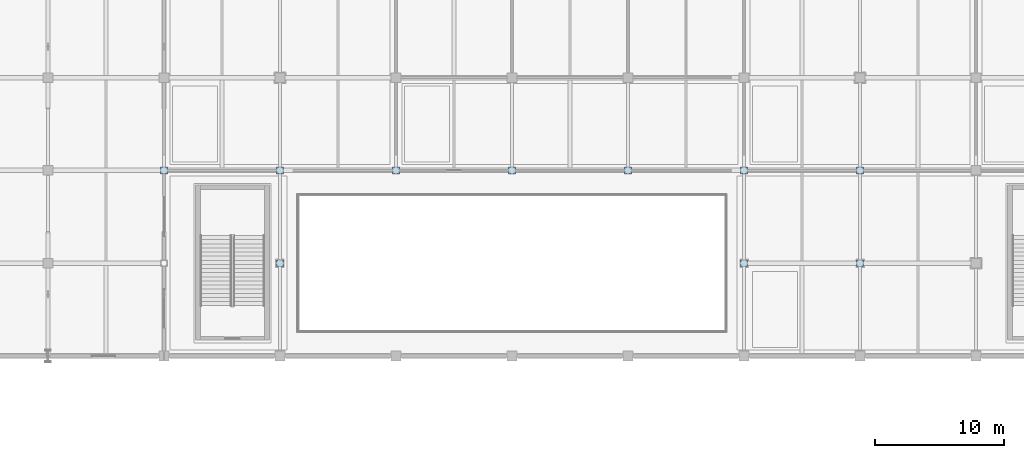
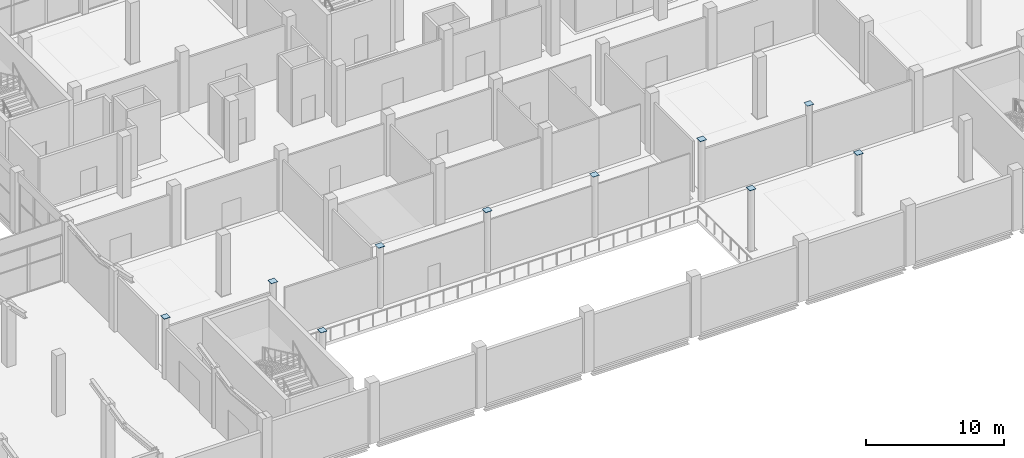
# One storey, part 125 of 189: 10 plates.
"""IFC4 building model written with IfcOpenShell, lengths in metres."""

import ifcopenshell
import ifcopenshell.guid

model = None  # the IFC model being written
_history = None  # IfcOwnerHistory: only IFC2X3 demands one
_inside = {}  # id of a spatial element -> (the spatial element, [elements in it])
_under = {}  # id of a project, library or spatial element -> (it, [spatial elements below it])
_declared = {}  # id of a project -> (the project, [libraries it declares])
_typed = {}  # id of a type object -> (the type object, [elements of that type])
_made_of = {}  # id of a material, layer set ... -> (it, [elements and type objects made of it])


def new_model(schema):
    """Start an empty IFC model of exactly this schema.

    Asked for "IFC4X3", IfcOpenShell would pick the latest addendum, in which some entities
    have other attributes; the version numbers below select the first issue.
    IFC2X3 requires an IfcOwnerHistory on every rooted entity: one is made here for all.
    """
    global model, _history
    if schema == "IFC4X3":
        model = ifcopenshell.file(schema_version=(4, 3, 0, 0))
    else:
        model = ifcopenshell.file(schema=schema)
    _inside.clear()
    _under.clear()
    _declared.clear()
    _typed.clear()
    _made_of.clear()
    _history = None
    if model.schema == "IFC2X3":
        org = make("IfcOrganization", Name="unknown")
        user = make(
            "IfcPersonAndOrganization",
            ThePerson=make("IfcPerson", FamilyName="unknown"),
            TheOrganization=org,
        )
        app = make(
            "IfcApplication",
            ApplicationDeveloper=org,
            Version="unknown",
            ApplicationFullName="unknown",
            ApplicationIdentifier="unknown",
        )
        _history = make(
            "IfcOwnerHistory",
            OwningUser=user,
            OwningApplication=app,
            ChangeAction="ADDED",
            CreationDate=0,
        )
    return model


def make(cls, **values):
    """One entity of the class cls with the attributes given. An attribute that is None is left unset."""
    return model.create_entity(
        cls, **{name: value for name, value in values.items() if value is not None}
    )


def rooted(cls, **values):
    """An entity with a GlobalId (a new one), such as an element, a storey or a relation."""
    return make(cls, GlobalId=ifcopenshell.guid.new(), OwnerHistory=_history, **values)


def si_unit(unit_type, name, prefix=None):
    """IfcSIUnit, for example si_unit("LENGTHUNIT", "METRE", prefix="MILLI")."""
    return make("IfcSIUnit", UnitType=unit_type, Prefix=prefix, Name=name)


def assignment(units):
    """IfcUnitAssignment: the units of a project."""
    return None if units is None else make("IfcUnitAssignment", Units=units)


def point(xyz):
    """IfcCartesianPoint."""
    return None if xyz is None else make("IfcCartesianPoint", Coordinates=xyz)


def direction(xyz):
    """IfcDirection."""
    return None if xyz is None else make("IfcDirection", DirectionRatios=xyz)


def frame(location, z_axis=None, x_axis=None):
    """IfcAxis2Placement3D, a coordinate frame: its origin and axes. An axis left out is left unset."""
    return make(
        "IfcAxis2Placement3D",
        Location=point(location),
        Axis=direction(z_axis),
        RefDirection=direction(x_axis),
    )


def frame_2d(location, x_axis=None):
    """IfcAxis2Placement2D, a coordinate frame in the plane: its origin and x axis."""
    return make(
        "IfcAxis2Placement2D", Location=point(location), RefDirection=direction(x_axis)
    )


def origin():
    """The frame at (0, 0, 0) with its axes left unset."""
    return frame((0.0, 0.0, 0.0))


def origin_2d():
    """The frame at (0, 0) in the plane with its x axis left unset."""
    return frame_2d((0.0, 0.0))


def place(relative_to, where):
    """IfcLocalPlacement: puts the frame where relative to a parent placement (None: the world)."""
    return make(
        "IfcLocalPlacement", PlacementRelTo=relative_to, RelativePlacement=where
    )


def context(
    kind, dimensions, precision=None, world=None, true_north=None, identifier=None
):
    """IfcGeometricRepresentationContext, for example the 3D "Model" context."""
    return make(
        "IfcGeometricRepresentationContext",
        ContextIdentifier=identifier,
        ContextType=kind,
        CoordinateSpaceDimension=dimensions,
        Precision=precision,
        WorldCoordinateSystem=world,
        TrueNorth=true_north,
    )


def subcontext(parent, identifier, kind, view, scale=None):
    """IfcGeometricRepresentationSubContext, for example "Body" below "Model"."""
    return make(
        "IfcGeometricRepresentationSubContext",
        ContextIdentifier=identifier,
        ContextType=kind,
        ParentContext=parent,
        TargetScale=scale,
        TargetView=view,
    )


def project(units=None, contexts=None):
    """IfcProject with its units and contexts."""
    return rooted(
        "IfcProject",
        Name="project",
        RepresentationContexts=contexts,
        UnitsInContext=assignment(units),
    )


def spatial(cls, under=None, at=None, **own):
    """A site, building, storey or space (cls), placed at a placement, below another one or the project."""
    s = rooted(cls, ObjectPlacement=at, **own)
    if under is not None:
        _under.setdefault(under.id(), (under, []))[1].append(s)
    return s


def profile(cls, at=None, kind="AREA", **sizes):
    """A parametric profile (cls). Its sizes go by their IFC names, for example OverallWidth=200.0."""
    return make(cls, ProfileType=kind, Position=at, **sizes)


def rectangle(**sizes):
    """IfcRectangleProfileDef."""
    return profile("IfcRectangleProfileDef", **sizes)


def extrude(swept, where, along, depth):
    """IfcExtrudedAreaSolid: the profile swept, set in the frame where, extruded along a direction by depth."""
    return make(
        "IfcExtrudedAreaSolid",
        SweptArea=swept,
        Position=where,
        ExtrudedDirection=direction(along),
        Depth=depth,
    )


def shape(context_of_items, identifier, shape_type, items):
    """IfcShapeRepresentation: the items that make up one representation, for example the "Body"."""
    return make(
        "IfcShapeRepresentation",
        ContextOfItems=context_of_items,
        RepresentationIdentifier=identifier,
        RepresentationType=shape_type,
        Items=items,
    )


def material(Name=None, Category=None):
    """IfcMaterial."""
    return make("IfcMaterial", Name=Name, Category=Category)


def layer(
    of_material, thickness, ventilated=None, Name=None, Category=None, Priority=None
):
    """IfcMaterialLayer: one layer of a wall or slab, of a material (None: an air gap)."""
    return make(
        "IfcMaterialLayer",
        Material=of_material,
        LayerThickness=thickness,
        IsVentilated=ventilated,
        Name=Name,
        Category=Category,
        Priority=Priority,
    )


def layer_set(layers, Name=None):
    """IfcMaterialLayerSet."""
    return make("IfcMaterialLayerSet", MaterialLayers=layers, LayerSetName=Name)


def made_of(thing, what):
    """Note that an element or type object is made of a material, layer set ...; save() writes the relation."""
    if what is not None:
        _made_of.setdefault(what.id(), (what, []))[1].append(thing)
    return thing


def type_object(cls, material=None, **own):
    """A type object (cls), such as IfcWallType, which elements share."""
    return made_of(rooted(cls, **own), material)


def element(
    cls,
    number,
    at=None,
    inside=None,
    cuts=None,
    type_object=None,
    material=None,
    context=None,
    identifier="Body",
    shape_type=None,
    held_by="IfcProductDefinitionShape",
    body=None,
    shapes=None,
    **own,
):
    """One element of the class cls, such as IfcWall. Its Tag is "e" and its number.

    at: its placement. inside: the storey or other place that contains it. cuts: it is an
    opening in that element (IfcRelVoidsElement). A single representation is given by context,
    identifier, shape_type and body (its items); several are given by shapes. held_by: the class
    of the entity that holds the representations. save() writes the other relations.
    """
    e = rooted(cls, Tag="e%d" % number, ObjectPlacement=at, **own)
    if body is not None:
        shapes = [shape(context, identifier, shape_type, body)]
    if shapes is not None:
        e.Representation = make(held_by, Representations=shapes)
    if inside is not None:
        _inside.setdefault(inside.id(), (inside, []))[1].append(e)
    if cuts is not None:
        rooted(
            "IfcRelVoidsElement", RelatingBuildingElement=cuts, RelatedOpeningElement=e
        )
    if type_object is not None:
        _typed.setdefault(type_object.id(), (type_object, []))[1].append(e)
    return made_of(e, material)


def aggregate(whole, parts):
    """IfcRelAggregates: a whole, such as a stair, and the parts it consists of."""
    return rooted("IfcRelAggregates", RelatingObject=whole, RelatedObjects=parts)


def save(model, path):
    """Write the relations noted so far, then the file.

    IfcRelAggregates (storeys below a building ...), IfcRelContainedInSpatialStructure (elements
    in a storey), IfcRelDefinesByType, IfcRelAssociatesMaterial and IfcRelDeclares: one each for
    every whole, place, type object, material and project.
    """
    for whole, parts in _under.values():
        aggregate(whole, parts)
    for where, things in _inside.values():
        rooted(
            "IfcRelContainedInSpatialStructure",
            RelatedElements=things,
            RelatingStructure=where,
        )
    for kind, things in _typed.values():
        rooted("IfcRelDefinesByType", RelatedObjects=things, RelatingType=kind)
    for what, things in _made_of.values():
        rooted("IfcRelAssociatesMaterial", RelatedObjects=things, RelatingMaterial=what)
    for by, libraries in _declared.values():
        rooted("IfcRelDeclares", RelatingContext=by, RelatedDefinitions=libraries)
    model.write(path)


model = new_model("IFC4")

# Units and contexts
model_context = context("Model", 3, precision=1e-05, world=origin(), true_north=direction((0.0, 1.0)))
body_context = subcontext(model_context, "Body", "Model", "MODEL_VIEW")
ifc_project = project(units=[si_unit("LENGTHUNIT", "METRE"), si_unit("AREAUNIT", "SQUARE_METRE"), si_unit("VOLUMEUNIT", "CUBIC_METRE"), si_unit("PLANEANGLEUNIT", "RADIAN"), si_unit("MASSUNIT", "GRAM", prefix="KILO")], contexts=[model_context])

# Site, building, storey
site_placement = place(None, origin())
site = spatial("IfcSite", under=ifc_project, at=site_placement, CompositionType="ELEMENT")
building_placement = place(site_placement, origin())
building = spatial("IfcBuilding", under=site, at=building_placement, Name="Celestram Park Convention Centre", CompositionType="ELEMENT")
storey_placement = place(building_placement, frame((0.0, 0.0, 5.39990234375)))
storey = spatial("IfcBuildingStorey", under=building, at=storey_placement, Name="L01", CompositionType="ELEMENT", Elevation=5.39990234375)

# Plates
ifc_material = material(Name="Steel ASTM A572 Grade 50", Category="steel")
ifc_layer = layer(ifc_material, 0.02490234375)
ifc_layer_set = layer_set([ifc_layer], Name="Steel ASTM A572 Grade 50")
plate_type = type_object("IfcPlateType", Name="STR-PLT-EC500", PredefinedType="USERDEFINED", material=ifc_layer_set)
for number, where, z_axis, x_axis, name in (
    (1, (36.0, 122.39990234375, 5.399658203125), (0.0, 0.0, 1.0), (1.0, 0.0, 0.0), "HSS column end closure cap plate EC-L01-008"),
    (2, (45.0, 115.199951171875, 5.399658203125), (0.0, 0.0, 1.0), (1.0, 0.0, 0.0), "HSS column end closure cap plate EC-L01-010"),
    (3, (45.0, 122.39990234375, 5.399658203125), (0.0, 0.0, 1.0), (1.0, 0.0, 0.0), "HSS column end closure cap plate EC-L01-011"),
    (4, (54.0, 122.39990234375, 5.399658203125), (0.0, 0.0, 1.0), (1.0, 0.0, 0.0), "HSS column end closure cap plate EC-L01-014"),
    (5, (63.0, 122.39990234375, 5.399658203125), (0.0, 0.0, 1.0), (1.0, 0.0, 0.0), "HSS column end closure cap plate EC-L01-017"),
    (6, (72.0, 122.39990234375, 5.399658203125), (0.0, 0.0, 1.0), (1.0, 0.0, 0.0), "HSS column end closure cap plate EC-L01-020"),
    (7, (81.0, 115.199951171875, 5.399658203125), (0.0, 0.0, 1.0), (1.0, 0.0, 0.0), "HSS column end closure cap plate EC-L01-029"),
    (8, (81.0, 122.39990234375, 5.399658203125), (0.0, 0.0, 1.0), (1.0, 0.0, 0.0), "HSS column end closure cap plate EC-L01-030"),
    (9, (90.0, 115.199951171875, 5.399658203125), (0.0, 0.0, 1.0), (1.0, 0.0, 0.0), "HSS column end closure cap plate EC-L01-038"),
    (10, (90.0, 122.39990234375, 5.399658203125), (0.0, 0.0, 1.0), (1.0, 0.0, 0.0), "HSS column end closure cap plate EC-L01-039"),
):
    element("IfcPlate", number, at=place(storey_placement, frame(where, z_axis=z_axis, x_axis=x_axis)), inside=storey, type_object=plate_type, Name=name, ObjectType="GUSSET_PLATE", PredefinedType="USERDEFINED", context=body_context, shape_type="SweptSolid", body=[
        extrude(rectangle(XDim=0.530029296875, YDim=0.530029296875, at=origin_2d()), origin(), (0.0, 0.0, 1.0), 0.02490234375),
    ])

save(model, "model.ifc")
